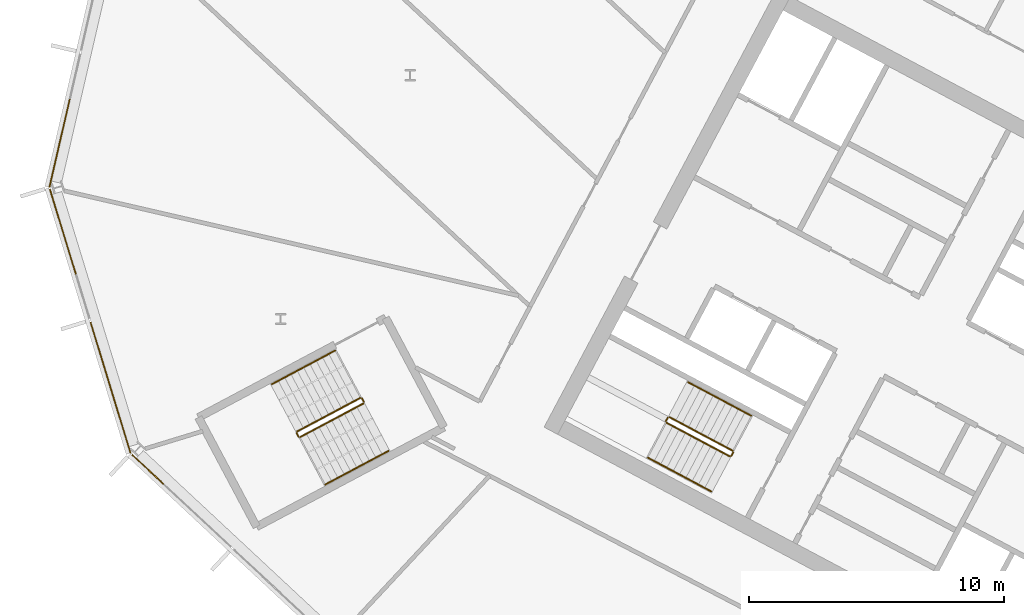
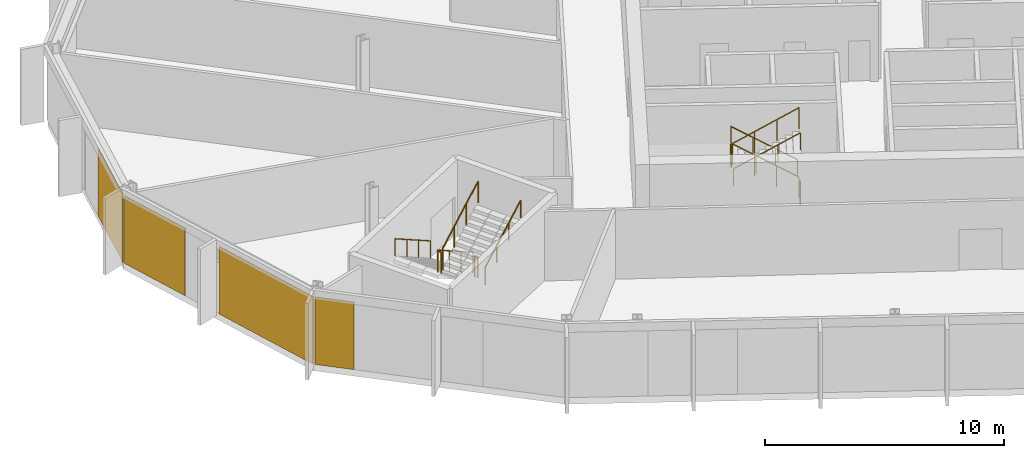
# One storey, part 20 of 26: 12 railings, 4 coverings, 3 elements without a shape of their own.
"""IFC4 building model written with IfcOpenShell, lengths in metres."""

from ifc_helpers import new_model, si_unit, direction, frame, origin, origin_2d, place, context, subcontext, project, spatial, polyline, rectangle, outline, extrude, material, layer, layer_set, type_object, element, aggregate, save


model = new_model("IFC4")

# Units and contexts
model_context = context("Model", 3, precision=1e-05, world=origin(), true_north=direction((0.0, 1.0)))
body_context = subcontext(model_context, "Body", "Model", "MODEL_VIEW")
ifc_project = project(units=[si_unit("LENGTHUNIT", "METRE"), si_unit("AREAUNIT", "SQUARE_METRE"), si_unit("VOLUMEUNIT", "CUBIC_METRE"), si_unit("PLANEANGLEUNIT", "RADIAN"), si_unit("MASSUNIT", "GRAM", prefix="KILO")], contexts=[model_context])

# Site, building, storey
site_placement = place(None, origin())
site = spatial("IfcSite", under=ifc_project, at=site_placement, CompositionType="ELEMENT")
building_placement = place(site_placement, origin())
building = spatial("IfcBuilding", under=site, at=building_placement, Name="Cormorant Relay Tower", CompositionType="ELEMENT")
storey_placement = place(building_placement, frame((0.0, 0.0, 213.0)))
storey = spatial("IfcBuildingStorey", under=building, at=storey_placement, Name="L46", CompositionType="ELEMENT", Elevation=213.0)

# Curtain wall, covering
ifc_material_1 = material(Name="Aluminium 6063-T6 anodised bronze", Category="aluminium")
ifc_layer_1 = layer(ifc_material_1, 0.199951171875)
ifc_layer_set_1 = layer_set([ifc_layer_1], Name="CW1 unitised bronze curtain wall with vertical fins")
curtain_wall_type = type_object("IfcCurtainWallType", Name="CW1 unitised bronze curtain wall with vertical fins", PredefinedType="NOTDEFINED", material=ifc_layer_set_1)
curtain_wall_1_placement = place(storey_placement, origin())
curtain_wall_1 = element("IfcCurtainWall", 1, at=curtain_wall_1_placement, inside=storey, type_object=curtain_wall_type, Name="CW1 curtain wall 13", PredefinedType="NOTDEFINED")
ifc_material_2 = material(Name="Pale bronze anodised aluminium insulated panel", Category="aluminium")
ifc_layer_2 = layer(ifc_material_2, 0.0400390625)
ifc_layer_set_2 = layer_set([ifc_layer_2], Name="CW1 pale bronze insulated panel 40")
covering_type = type_object("IfcCoveringType", Name="CW1 pale bronze insulated panel 40", PredefinedType="CLADDING", material=ifc_layer_set_2)
covering_1_placement = place(storey_placement, frame((-60.3388671875, 22.13232421875, 0.0), z_axis=(0.0, 0.0, 1.0), x_axis=(-0.224951054344, -0.974370064785, 0.0)))
covering_1 = element("IfcCovering", 2, at=covering_1_placement, type_object=covering_type, Name="CW1 panel S02", PredefinedType="CLADDING", context=body_context, shape_type="SweptSolid", body=[
    extrude(rectangle(XDim=3.560302734375, YDim=0.0400390625, at=origin_2d()), origin(), (0.0, 0.0, 1.0), 3.449951171875),
])
aggregate(curtain_wall_1, [covering_1])

# Curtain wall, coverings
curtain_wall_2_placement = place(storey_placement, origin())
curtain_wall_2 = element("IfcCurtainWall", 3, at=curtain_wall_2_placement, inside=storey, type_object=curtain_wall_type, Name="CW1 curtain wall 14", PredefinedType="NOTDEFINED")
covering_2_placement = place(storey_placement, frame((-60.20751953125, 18.6494140625, 0.0), z_axis=(0.0, 0.0, 1.0), x_axis=(0.292371704723, -0.956304755963, 0.0)))
covering_2 = element("IfcCovering", 4, at=covering_2_placement, type_object=covering_type, Name="CW1 panel S00", PredefinedType="CLADDING", context=body_context, shape_type="SweptSolid", body=[
    extrude(rectangle(XDim=3.485107421875, YDim=0.0400390625, at=origin_2d()), origin(), (0.0, 0.0, 1.0), 3.449951171875),
])
covering_3_placement = place(storey_placement, frame((-58.344482421875, 12.55517578125, 0.0), z_axis=(0.0, 0.0, 1.0), x_axis=(0.292371704723, -0.956304755963, 0.0)))
covering_3 = element("IfcCovering", 5, at=covering_3_placement, type_object=covering_type, Name="CW1 panel S02", PredefinedType="CLADDING", context=body_context, shape_type="SweptSolid", body=[
    extrude(rectangle(XDim=5.360107421875, YDim=0.0400390625, at=origin_2d()), origin(), (0.0, 0.0, 1.0), 3.449951171875),
])
aggregate(curtain_wall_2, [covering_2, covering_3])

# Curtain wall, covering
curtain_wall_3_placement = place(storey_placement, origin())
curtain_wall_3 = element("IfcCurtainWall", 6, at=curtain_wall_3_placement, inside=storey, type_object=curtain_wall_type, Name="CW1 curtain wall 15", PredefinedType="NOTDEFINED")
covering_4_placement = place(storey_placement, frame((-56.88427734375, 9.357421875, 0.0), z_axis=(0.0, 0.0, 1.0), x_axis=(0.731353701619, -0.681998360062, 0.0)))
covering_4 = element("IfcCovering", 7, at=covering_4_placement, type_object=covering_type, Name="CW1 panel S00", PredefinedType="CLADDING", context=body_context, shape_type="SweptSolid", body=[
    extrude(rectangle(XDim=1.685302734375, YDim=0.0400390625, at=origin_2d()), origin(), (0.0, 0.0, 1.0), 3.449951171875),
])
aggregate(curtain_wall_3, [covering_4])

# Railings
ifc_material_3 = material(Name="Steel ASTM A572 Grade 50 (Fy 345 MPa)", Category="steel")
railing_type_1 = type_object("IfcRailingType", Name="Stair guard 1100", PredefinedType="GUARDRAIL", material=ifc_material_3)
railing_1_placement = place(storey_placement, frame((-33.9921875, 10.08935546875, 0.17724609375)))
element("IfcRailing", 8, at=railing_1_placement, inside=storey, type_object=railing_type_1, Name="L46 A2 stair guard 1", PredefinedType="GUARDRAIL", context=body_context, shape_type="SweptSolid", body=[
    extrude(outline(polyline([(0.022216796875, 0.00927734375), (0.00927734375, 0.022216796875), (-0.00927734375, 0.022216796875), (-0.022216796875, 0.00927734375), (-0.022216796875, -0.00927734375), (-0.00927734375, -0.022216796875), (0.00927734375, -0.022216796875), (0.022216796875, -0.00927734375), (0.022216796875, 0.00927734375)])), frame((0.0, 0.0, 1.076171875), z_axis=(-0.746001213114, 0.396649272309, 0.534931345884), x_axis=(-0.469465464807, -0.882950835185, 0.0)), (0.0, 0.0, 1.0), 3.31396484375),
    extrude(outline(polyline([(0.019287109375, 0.008056640625), (0.008056640625, 0.019287109375), (-0.008056640625, 0.019287109375), (-0.019287109375, 0.008056640625), (-0.019287109375, -0.008056640625), (-0.008056640625, -0.019287109375), (0.008056640625, -0.019287109375), (0.019287109375, -0.008056640625), (0.019287109375, 0.008056640625)])), origin(), (0.0, 0.0, 1.0), 1.052001953125),
    extrude(outline(polyline([(0.019287109375, 0.008056640625), (0.008056640625, 0.019287109375), (-0.008056640625, 0.019287109375), (-0.019287109375, 0.008056640625), (-0.019287109375, -0.008056640625), (-0.008056640625, -0.019287109375), (0.008056640625, -0.019287109375), (0.019287109375, -0.008056640625), (0.019287109375, 0.008056640625)])), frame((-0.823974609375, 0.438232421875, 0.5908203125)), (0.0, 0.0, 1.0), 1.052001953125),
    extrude(outline(polyline([(0.019287109375, 0.008056640625), (0.008056640625, 0.019287109375), (-0.008056640625, 0.019287109375), (-0.019287109375, 0.008056640625), (-0.019287109375, -0.008056640625), (-0.008056640625, -0.019287109375), (0.008056640625, -0.019287109375), (0.019287109375, -0.008056640625), (0.019287109375, 0.008056640625)])), frame((-1.648193359375, 0.876220703125, 1.181884765625)), (0.0, 0.0, 1.0), 1.052001953125),
    extrude(outline(polyline([(0.019287109375, 0.008056640625), (0.008056640625, 0.019287109375), (-0.008056640625, 0.019287109375), (-0.019287109375, 0.008056640625), (-0.019287109375, -0.008056640625), (-0.008056640625, -0.019287109375), (0.008056640625, -0.019287109375), (0.019287109375, -0.008056640625), (0.019287109375, 0.008056640625)])), frame((-2.47216796875, 1.314453125, 1.772705078125)), (0.0, 0.0, 1.0), 1.052001953125),
])
railing_2_placement = place(storey_placement, frame((-36.531982421875, 11.38330078125, 1.949951171875)))
element("IfcRailing", 9, at=railing_2_placement, inside=storey, type_object=railing_type_1, Name="L46 A2 stair guard 2", PredefinedType="GUARDRAIL", context=body_context, shape_type="SweptSolid", body=[
    extrude(outline(polyline([(0.022216796875, 0.00927734375), (0.00927734375, 0.022216796875), (-0.00927734375, 0.022216796875), (-0.022216796875, 0.00927734375), (-0.022216796875, -0.00927734375), (-0.00927734375, -0.022216796875), (0.00927734375, -0.022216796875), (0.022216796875, -0.00927734375), (0.022216796875, 0.00927734375)])), frame((0.0, 0.0, 1.076171875), z_axis=(-0.469828648786, -0.882757634224, 0.0), x_axis=(0.882757634224, -0.469828648786, 0.0)), (0.0, 0.0, 1.0), 0.150146484375),
    extrude(outline(polyline([(0.019287109375, 0.008056640625), (0.008056640625, 0.019287109375), (-0.008056640625, 0.019287109375), (-0.019287109375, 0.008056640625), (-0.019287109375, -0.008056640625), (-0.008056640625, -0.019287109375), (0.008056640625, -0.019287109375), (0.019287109375, -0.008056640625), (0.019287109375, 0.008056640625)])), origin(), (0.0, 0.0, 1.0), 1.052001953125),
    extrude(outline(polyline([(0.019287109375, 0.008056640625), (0.008056640625, 0.019287109375), (-0.008056640625, 0.019287109375), (-0.019287109375, 0.008056640625), (-0.019287109375, -0.008056640625), (-0.008056640625, -0.019287109375), (0.008056640625, -0.019287109375), (0.019287109375, -0.008056640625), (0.019287109375, 0.008056640625)])), frame((-0.070556640625, -0.132568359375, 0.0)), (0.0, 0.0, 1.0), 1.052001953125),
])
railing_3_placement = place(storey_placement, frame((-36.581787109375, 11.18310546875, 2.127197265625)))
element("IfcRailing", 10, at=railing_3_placement, inside=storey, type_object=railing_type_1, Name="L46 A2 stair guard 3", PredefinedType="GUARDRAIL", context=body_context, shape_type="SweptSolid", body=[
    extrude(outline(polyline([(0.022216796875, 0.00927734375), (0.00927734375, 0.022216796875), (-0.00927734375, 0.022216796875), (-0.022216796875, 0.00927734375), (-0.022216796875, -0.00927734375), (-0.00927734375, -0.022216796875), (0.00927734375, -0.022216796875), (0.022216796875, -0.00927734375), (0.022216796875, 0.00927734375)])), frame((0.0, 0.0, 1.076171875), z_axis=(0.746001213114, -0.396649272309, 0.534931345884), x_axis=(0.469465464807, 0.882950835185, 0.0)), (0.0, 0.0, 1.0), 3.31396484375),
    extrude(outline(polyline([(0.019287109375, 0.008056640625), (0.008056640625, 0.019287109375), (-0.008056640625, 0.019287109375), (-0.019287109375, 0.008056640625), (-0.019287109375, -0.008056640625), (-0.008056640625, -0.019287109375), (0.008056640625, -0.019287109375), (0.019287109375, -0.008056640625), (0.019287109375, 0.008056640625)])), origin(), (0.0, 0.0, 1.0), 1.052001953125),
    extrude(outline(polyline([(0.019287109375, 0.008056640625), (0.008056640625, 0.019287109375), (-0.008056640625, 0.019287109375), (-0.019287109375, 0.008056640625), (-0.019287109375, -0.008056640625), (-0.008056640625, -0.019287109375), (0.008056640625, -0.019287109375), (0.019287109375, -0.008056640625), (0.019287109375, 0.008056640625)])), frame((0.823974609375, -0.438232421875, 0.5908203125)), (0.0, 0.0, 1.0), 1.052001953125),
    extrude(outline(polyline([(0.019287109375, 0.008056640625), (0.008056640625, 0.019287109375), (-0.008056640625, 0.019287109375), (-0.019287109375, 0.008056640625), (-0.019287109375, -0.008056640625), (-0.008056640625, -0.019287109375), (0.008056640625, -0.019287109375), (0.019287109375, -0.008056640625), (0.019287109375, 0.008056640625)])), frame((1.648193359375, -0.876220703125, 1.181884765625)), (0.0, 0.0, 1.0), 1.052001953125),
    extrude(outline(polyline([(0.019287109375, 0.008056640625), (0.008056640625, 0.019287109375), (-0.008056640625, 0.019287109375), (-0.019287109375, 0.008056640625), (-0.019287109375, -0.008056640625), (-0.008056640625, -0.019287109375), (0.008056640625, -0.019287109375), (0.019287109375, -0.008056640625), (0.019287109375, 0.008056640625)])), frame((2.47216796875, -1.314453125, 1.772705078125)), (0.0, 0.0, 1.0), 1.052001953125),
])
railing_4_placement = place(storey_placement, frame((-33.971435546875, 10.021728515625, 0.0)))
element("IfcRailing", 11, at=railing_4_placement, inside=storey, type_object=railing_type_1, Name="L46 A2 stair guard 4", PredefinedType="GUARDRAIL", context=body_context, shape_type="SweptSolid", body=[
    extrude(outline(polyline([(0.022216796875, 0.00927734375), (0.00927734375, 0.022216796875), (-0.00927734375, 0.022216796875), (-0.022216796875, 0.00927734375), (-0.022216796875, -0.00927734375), (-0.00927734375, -0.022216796875), (0.00927734375, -0.022216796875), (0.022216796875, -0.00927734375), (0.022216796875, 0.00927734375)])), frame((0.0, 0.0, 1.076171875), z_axis=(-0.470503732759, -0.882398003998, 0.0), x_axis=(0.882398003998, -0.470503732759, 0.0)), (0.0, 0.0, 1.0), 0.14990234375),
    extrude(outline(polyline([(0.019287109375, 0.008056640625), (0.008056640625, 0.019287109375), (-0.008056640625, 0.019287109375), (-0.019287109375, 0.008056640625), (-0.019287109375, -0.008056640625), (-0.008056640625, -0.019287109375), (0.008056640625, -0.019287109375), (0.019287109375, -0.008056640625), (0.019287109375, 0.008056640625)])), origin(), (0.0, 0.0, 1.0), 1.052001953125),
    extrude(outline(polyline([(0.019287109375, 0.008056640625), (0.008056640625, 0.019287109375), (-0.008056640625, 0.019287109375), (-0.019287109375, 0.008056640625), (-0.019287109375, -0.008056640625), (-0.008056640625, -0.019287109375), (0.008056640625, -0.019287109375), (0.019287109375, -0.008056640625), (0.019287109375, 0.008056640625)])), frame((-0.070556640625, -0.13232421875, 0.0)), (0.0, 0.0, 1.0), 1.052001953125),
])
railing_5_placement = place(storey_placement, frame((-48.5693359375, 12.155517578125, 0.17724609375)))
element("IfcRailing", 12, at=railing_5_placement, inside=storey, type_object=railing_type_1, Name="L46 RP1 stair guard 1", PredefinedType="GUARDRAIL", context=body_context, shape_type="SweptSolid", body=[
    extrude(outline(polyline([(0.022216796875, 0.00927734375), (0.00927734375, 0.022216796875), (-0.00927734375, 0.022216796875), (-0.022216796875, 0.00927734375), (-0.022216796875, -0.00927734375), (-0.00927734375, -0.022216796875), (0.00927734375, -0.022216796875), (0.022216796875, -0.00927734375), (0.022216796875, 0.00927734375)])), frame((0.0, 0.0, 1.076171875), z_axis=(-0.746012083385, -0.396689549623, 0.534886317514), x_axis=(0.469497295046, -0.882933910293, 0.0)), (0.0, 0.0, 1.0), 3.314208984375),
    extrude(outline(polyline([(0.019287109375, 0.008056640625), (0.008056640625, 0.019287109375), (-0.008056640625, 0.019287109375), (-0.019287109375, 0.008056640625), (-0.019287109375, -0.008056640625), (-0.008056640625, -0.019287109375), (0.008056640625, -0.019287109375), (0.019287109375, -0.008056640625), (0.019287109375, 0.008056640625)])), origin(), (0.0, 0.0, 1.0), 1.052001953125),
    extrude(outline(polyline([(0.019287109375, 0.008056640625), (0.008056640625, 0.019287109375), (-0.008056640625, 0.019287109375), (-0.019287109375, 0.008056640625), (-0.019287109375, -0.008056640625), (-0.008056640625, -0.019287109375), (0.008056640625, -0.019287109375), (0.019287109375, -0.008056640625), (0.019287109375, 0.008056640625)])), frame((-0.82421875, -0.438232421875, 0.5908203125)), (0.0, 0.0, 1.0), 1.052001953125),
    extrude(outline(polyline([(0.019287109375, 0.008056640625), (0.008056640625, 0.019287109375), (-0.008056640625, 0.019287109375), (-0.019287109375, 0.008056640625), (-0.019287109375, -0.008056640625), (-0.008056640625, -0.019287109375), (0.008056640625, -0.019287109375), (0.019287109375, -0.008056640625), (0.019287109375, 0.008056640625)])), frame((-1.648193359375, -0.87646484375, 1.181884765625)), (0.0, 0.0, 1.0), 1.052001953125),
    extrude(outline(polyline([(0.019287109375, 0.008056640625), (0.008056640625, 0.019287109375), (-0.008056640625, 0.019287109375), (-0.019287109375, 0.008056640625), (-0.019287109375, -0.008056640625), (-0.008056640625, -0.019287109375), (0.008056640625, -0.019287109375), (0.019287109375, -0.008056640625), (0.019287109375, 0.008056640625)])), frame((-2.472412109375, -1.314697265625, 1.772705078125)), (0.0, 0.0, 1.0), 1.052001953125),
])
railing_6_placement = place(storey_placement, frame((-51.062255859375, 10.773193359375, 1.949951171875)))
element("IfcRailing", 13, at=railing_6_placement, inside=storey, type_object=railing_type_1, Name="L46 RP1 stair guard 2", PredefinedType="GUARDRAIL", context=body_context, shape_type="SweptSolid", body=[
    extrude(outline(polyline([(0.022216796875, 0.00927734375), (0.00927734375, 0.022216796875), (-0.00927734375, 0.022216796875), (-0.022216796875, 0.00927734375), (-0.022216796875, -0.00927734375), (-0.00927734375, -0.022216796875), (0.00927734375, -0.022216796875), (0.022216796875, -0.00927734375), (0.022216796875, 0.00927734375)])), frame((0.0, 0.0, 1.076171875), z_axis=(0.469234640946, -0.883073525669, 0.0), x_axis=(0.883073525669, 0.469234640946, 0.0)), (0.0, 0.0, 1.0), 0.14990234375),
    extrude(outline(polyline([(0.019287109375, 0.008056640625), (0.008056640625, 0.019287109375), (-0.008056640625, 0.019287109375), (-0.019287109375, 0.008056640625), (-0.019287109375, -0.008056640625), (-0.008056640625, -0.019287109375), (0.008056640625, -0.019287109375), (0.019287109375, -0.008056640625), (0.019287109375, 0.008056640625)])), origin(), (0.0, 0.0, 1.0), 1.052001953125),
    extrude(outline(polyline([(0.019287109375, 0.008056640625), (0.008056640625, 0.019287109375), (-0.008056640625, 0.019287109375), (-0.019287109375, 0.008056640625), (-0.019287109375, -0.008056640625), (-0.008056640625, -0.019287109375), (0.008056640625, -0.019287109375), (0.019287109375, -0.008056640625), (0.019287109375, 0.008056640625)])), frame((0.0703125, -0.13232421875, 0.0)), (0.0, 0.0, 1.0), 1.052001953125),
])
railing_7_placement = place(storey_placement, frame((-50.92431640625, 10.6201171875, 2.127197265625)))
element("IfcRailing", 14, at=railing_7_placement, inside=storey, type_object=railing_type_1, Name="L46 RP1 stair guard 3", PredefinedType="GUARDRAIL", context=body_context, shape_type="SweptSolid", body=[
    extrude(outline(polyline([(0.022216796875, 0.00927734375), (0.00927734375, 0.022216796875), (-0.00927734375, 0.022216796875), (-0.022216796875, 0.00927734375), (-0.022216796875, -0.00927734375), (-0.00927734375, -0.022216796875), (0.00927734375, -0.022216796875), (0.022216796875, -0.00927734375), (0.022216796875, 0.00927734375)])), frame((0.0, 0.0, 1.076171875), z_axis=(0.746033882577, 0.396627473466, 0.534901947407), x_axis=(-0.469429322983, 0.882970050864, 0.0)), (0.0, 0.0, 1.0), 3.31396484375),
    extrude(outline(polyline([(0.019287109375, 0.008056640625), (0.008056640625, 0.019287109375), (-0.008056640625, 0.019287109375), (-0.019287109375, 0.008056640625), (-0.019287109375, -0.008056640625), (-0.008056640625, -0.019287109375), (0.008056640625, -0.019287109375), (0.019287109375, -0.008056640625), (0.019287109375, 0.008056640625)])), origin(), (0.0, 0.0, 1.0), 1.052001953125),
    extrude(outline(polyline([(0.019287109375, 0.008056640625), (0.008056640625, 0.019287109375), (-0.008056640625, 0.019287109375), (-0.019287109375, 0.008056640625), (-0.019287109375, -0.008056640625), (-0.008056640625, -0.019287109375), (0.008056640625, -0.019287109375), (0.019287109375, -0.008056640625), (0.019287109375, 0.008056640625)])), frame((0.82421875, 0.438232421875, 0.5908203125)), (0.0, 0.0, 1.0), 1.052001953125),
    extrude(outline(polyline([(0.019287109375, 0.008056640625), (0.008056640625, 0.019287109375), (-0.008056640625, 0.019287109375), (-0.019287109375, 0.008056640625), (-0.019287109375, -0.008056640625), (-0.008056640625, -0.019287109375), (0.008056640625, -0.019287109375), (0.019287109375, -0.008056640625), (0.019287109375, 0.008056640625)])), frame((1.648193359375, 0.876220703125, 1.181884765625)), (0.0, 0.0, 1.0), 1.052001953125),
    extrude(outline(polyline([(0.019287109375, 0.008056640625), (0.008056640625, 0.019287109375), (-0.008056640625, 0.019287109375), (-0.019287109375, 0.008056640625), (-0.019287109375, -0.008056640625), (-0.008056640625, -0.019287109375), (0.008056640625, -0.019287109375), (0.019287109375, -0.008056640625), (0.019287109375, 0.008056640625)])), frame((2.472412109375, 1.314453125, 1.772705078125)), (0.0, 0.0, 1.0), 1.052001953125),
])
railing_8_placement = place(storey_placement, frame((-48.501708984375, 12.134765625, 0.0)))
element("IfcRailing", 15, at=railing_8_placement, inside=storey, type_object=railing_type_1, Name="L46 RP1 stair guard 4", PredefinedType="GUARDRAIL", context=body_context, shape_type="SweptSolid", body=[
    extrude(outline(polyline([(0.022216796875, 0.00927734375), (0.00927734375, 0.022216796875), (-0.00927734375, 0.022216796875), (-0.022216796875, 0.00927734375), (-0.022216796875, -0.00927734375), (-0.00927734375, -0.022216796875), (0.00927734375, -0.022216796875), (0.022216796875, -0.00927734375), (0.022216796875, 0.00927734375)])), frame((0.0, 0.0, 1.076171875), z_axis=(0.46856034887, -0.8834314911, 0.0), x_axis=(0.8834314911, 0.46856034887, 0.0)), (0.0, 0.0, 1.0), 0.150146484375),
    extrude(outline(polyline([(0.019287109375, 0.008056640625), (0.008056640625, 0.019287109375), (-0.008056640625, 0.019287109375), (-0.019287109375, 0.008056640625), (-0.019287109375, -0.008056640625), (-0.008056640625, -0.019287109375), (0.008056640625, -0.019287109375), (0.019287109375, -0.008056640625), (0.019287109375, 0.008056640625)])), origin(), (0.0, 0.0, 1.0), 1.052001953125),
    extrude(outline(polyline([(0.019287109375, 0.008056640625), (0.008056640625, 0.019287109375), (-0.008056640625, 0.019287109375), (-0.019287109375, 0.008056640625), (-0.019287109375, -0.008056640625), (-0.008056640625, -0.019287109375), (0.008056640625, -0.019287109375), (0.019287109375, -0.008056640625), (0.019287109375, 0.008056640625)])), frame((0.0703125, -0.132568359375, 0.0)), (0.0, 0.0, 1.0), 1.052001953125),
])
ifc_material_4 = material(Name="Steel ASTM A572 Grade 50 (Fy 345 MPa)", Category="steel")
railing_type_2 = type_object("IfcRailingType", Name="Stair handrail 900", PredefinedType="HANDRAIL", material=ifc_material_4)
railing_9_placement = place(storey_placement, frame((-33.264404296875, 11.4580078125, 0.17724609375)))
element("IfcRailing", 16, at=railing_9_placement, inside=storey, type_object=railing_type_2, Name="L46 A2 stair handrail 1", PredefinedType="HANDRAIL", context=body_context, shape_type="SweptSolid", body=[
    extrude(outline(polyline([(0.022216796875, 0.00927734375), (0.00927734375, 0.022216796875), (-0.00927734375, 0.022216796875), (-0.022216796875, 0.00927734375), (-0.022216796875, -0.00927734375), (-0.00927734375, -0.022216796875), (0.00927734375, -0.022216796875), (0.022216796875, -0.00927734375), (0.022216796875, 0.00927734375)])), frame((0.0, 0.0, 0.8759765625), z_axis=(-0.746033882577, 0.396627473466, 0.534901947407), x_axis=(-0.469429322983, -0.882970050864, 0.0)), (0.0, 0.0, 1.0), 3.31396484375),
    extrude(outline(polyline([(0.019287109375, 0.008056640625), (0.008056640625, 0.019287109375), (-0.008056640625, 0.019287109375), (-0.019287109375, 0.008056640625), (-0.019287109375, -0.008056640625), (-0.008056640625, -0.019287109375), (0.008056640625, -0.019287109375), (0.019287109375, -0.008056640625), (0.019287109375, 0.008056640625)])), origin(), (0.0, 0.0, 1.0), 0.851806640625),
    extrude(outline(polyline([(0.019287109375, 0.008056640625), (0.008056640625, 0.019287109375), (-0.008056640625, 0.019287109375), (-0.019287109375, 0.008056640625), (-0.019287109375, -0.008056640625), (-0.008056640625, -0.019287109375), (0.008056640625, -0.019287109375), (0.019287109375, -0.008056640625), (0.019287109375, 0.008056640625)])), frame((-0.82421875, 0.438232421875, 0.5908203125)), (0.0, 0.0, 1.0), 0.851806640625),
    extrude(outline(polyline([(0.019287109375, 0.008056640625), (0.008056640625, 0.019287109375), (-0.008056640625, 0.019287109375), (-0.019287109375, 0.008056640625), (-0.019287109375, -0.008056640625), (-0.008056640625, -0.019287109375), (0.008056640625, -0.019287109375), (0.019287109375, -0.008056640625), (0.019287109375, 0.008056640625)])), frame((-1.648193359375, 0.876220703125, 1.181884765625)), (0.0, 0.0, 1.0), 0.851806640625),
    extrude(outline(polyline([(0.019287109375, 0.008056640625), (0.008056640625, 0.019287109375), (-0.008056640625, 0.019287109375), (-0.019287109375, 0.008056640625), (-0.019287109375, -0.008056640625), (-0.008056640625, -0.019287109375), (0.008056640625, -0.019287109375), (0.019287109375, -0.008056640625), (0.019287109375, 0.008056640625)])), frame((-2.472412109375, 1.314453125, 1.772705078125)), (0.0, 0.0, 1.0), 0.851806640625),
])
railing_10_placement = place(storey_placement, frame((-37.3095703125, 9.814453125, 2.127197265625)))
element("IfcRailing", 17, at=railing_10_placement, inside=storey, type_object=railing_type_2, Name="L46 A2 stair handrail 2", PredefinedType="HANDRAIL", context=body_context, shape_type="SweptSolid", body=[
    extrude(outline(polyline([(0.022216796875, 0.00927734375), (0.00927734375, 0.022216796875), (-0.00927734375, 0.022216796875), (-0.022216796875, 0.00927734375), (-0.022216796875, -0.00927734375), (-0.00927734375, -0.022216796875), (0.00927734375, -0.022216796875), (0.022216796875, -0.00927734375), (0.022216796875, 0.00927734375)])), frame((0.0, 0.0, 0.8759765625), z_axis=(0.746033882577, -0.396627473466, 0.534901947407), x_axis=(0.469429322983, 0.882970050864, 0.0)), (0.0, 0.0, 1.0), 3.31396484375),
    extrude(outline(polyline([(0.019287109375, 0.008056640625), (0.008056640625, 0.019287109375), (-0.008056640625, 0.019287109375), (-0.019287109375, 0.008056640625), (-0.019287109375, -0.008056640625), (-0.008056640625, -0.019287109375), (0.008056640625, -0.019287109375), (0.019287109375, -0.008056640625), (0.019287109375, 0.008056640625)])), origin(), (0.0, 0.0, 1.0), 0.851806640625),
    extrude(outline(polyline([(0.019287109375, 0.008056640625), (0.008056640625, 0.019287109375), (-0.008056640625, 0.019287109375), (-0.019287109375, 0.008056640625), (-0.019287109375, -0.008056640625), (-0.008056640625, -0.019287109375), (0.008056640625, -0.019287109375), (0.019287109375, -0.008056640625), (0.019287109375, 0.008056640625)])), frame((0.82421875, -0.438232421875, 0.5908203125)), (0.0, 0.0, 1.0), 0.851806640625),
    extrude(outline(polyline([(0.019287109375, 0.008056640625), (0.008056640625, 0.019287109375), (-0.008056640625, 0.019287109375), (-0.019287109375, 0.008056640625), (-0.019287109375, -0.008056640625), (-0.008056640625, -0.019287109375), (0.008056640625, -0.019287109375), (0.019287109375, -0.008056640625), (0.019287109375, 0.008056640625)])), frame((1.648193359375, -0.876220703125, 1.181884765625)), (0.0, 0.0, 1.0), 0.851806640625),
    extrude(outline(polyline([(0.019287109375, 0.008056640625), (0.008056640625, 0.019287109375), (-0.008056640625, 0.019287109375), (-0.019287109375, 0.008056640625), (-0.019287109375, -0.008056640625), (-0.008056640625, -0.019287109375), (0.008056640625, -0.019287109375), (0.019287109375, -0.008056640625), (0.019287109375, 0.008056640625)])), frame((2.472412109375, -1.314453125, 1.772705078125)), (0.0, 0.0, 1.0), 0.851806640625),
])
railing_11_placement = place(storey_placement, frame((-49.55517578125, 14.009521484375, 0.17724609375)))
element("IfcRailing", 18, at=railing_11_placement, inside=storey, type_object=railing_type_2, Name="L46 RP1 stair handrail 1", PredefinedType="HANDRAIL", context=body_context, shape_type="SweptSolid", body=[
    extrude(outline(polyline([(0.022216796875, 0.00927734375), (0.00927734375, 0.022216796875), (-0.00927734375, 0.022216796875), (-0.022216796875, 0.00927734375), (-0.022216796875, -0.00927734375), (-0.00927734375, -0.022216796875), (0.00927734375, -0.022216796875), (0.022216796875, -0.00927734375), (0.022216796875, 0.00927734375)])), frame((0.0, 0.0, 0.8759765625), z_axis=(-0.746033882577, -0.396627473466, 0.534901947407), x_axis=(0.469429322983, -0.882970050864, 0.0)), (0.0, 0.0, 1.0), 3.31396484375),
    extrude(outline(polyline([(0.019287109375, 0.008056640625), (0.008056640625, 0.019287109375), (-0.008056640625, 0.019287109375), (-0.019287109375, 0.008056640625), (-0.019287109375, -0.008056640625), (-0.008056640625, -0.019287109375), (0.008056640625, -0.019287109375), (0.019287109375, -0.008056640625), (0.019287109375, 0.008056640625)])), origin(), (0.0, 0.0, 1.0), 0.851806640625),
    extrude(outline(polyline([(0.019287109375, 0.008056640625), (0.008056640625, 0.019287109375), (-0.008056640625, 0.019287109375), (-0.019287109375, 0.008056640625), (-0.019287109375, -0.008056640625), (-0.008056640625, -0.019287109375), (0.008056640625, -0.019287109375), (0.019287109375, -0.008056640625), (0.019287109375, 0.008056640625)])), frame((-0.82421875, -0.438232421875, 0.5908203125)), (0.0, 0.0, 1.0), 0.851806640625),
    extrude(outline(polyline([(0.019287109375, 0.008056640625), (0.008056640625, 0.019287109375), (-0.008056640625, 0.019287109375), (-0.019287109375, 0.008056640625), (-0.019287109375, -0.008056640625), (-0.008056640625, -0.019287109375), (0.008056640625, -0.019287109375), (0.019287109375, -0.008056640625), (0.019287109375, 0.008056640625)])), frame((-1.648193359375, -0.876220703125, 1.181884765625)), (0.0, 0.0, 1.0), 0.851806640625),
    extrude(outline(polyline([(0.019287109375, 0.008056640625), (0.008056640625, 0.019287109375), (-0.008056640625, 0.019287109375), (-0.019287109375, 0.008056640625), (-0.019287109375, -0.008056640625), (-0.008056640625, -0.019287109375), (0.008056640625, -0.019287109375), (0.019287109375, -0.008056640625), (0.019287109375, 0.008056640625)])), frame((-2.472412109375, -1.314453125, 1.772705078125)), (0.0, 0.0, 1.0), 0.851806640625),
])
railing_12_placement = place(storey_placement, frame((-49.9384765625, 8.765869140625, 2.127197265625)))
element("IfcRailing", 19, at=railing_12_placement, inside=storey, type_object=railing_type_2, Name="L46 RP1 stair handrail 2", PredefinedType="HANDRAIL", context=body_context, shape_type="SweptSolid", body=[
    extrude(outline(polyline([(0.022216796875, 0.00927734375), (0.00927734375, 0.022216796875), (-0.00927734375, 0.022216796875), (-0.022216796875, 0.00927734375), (-0.022216796875, -0.00927734375), (-0.00927734375, -0.022216796875), (0.00927734375, -0.022216796875), (0.022216796875, -0.00927734375), (0.022216796875, 0.00927734375)])), frame((0.0, 0.0, 0.8759765625), z_axis=(0.746012083385, 0.396689549623, 0.534886317514), x_axis=(-0.469497295046, 0.882933910293, 0.0)), (0.0, 0.0, 1.0), 3.314208984375),
    extrude(outline(polyline([(0.019287109375, 0.008056640625), (0.008056640625, 0.019287109375), (-0.008056640625, 0.019287109375), (-0.019287109375, 0.008056640625), (-0.019287109375, -0.008056640625), (-0.008056640625, -0.019287109375), (0.008056640625, -0.019287109375), (0.019287109375, -0.008056640625), (0.019287109375, 0.008056640625)])), origin(), (0.0, 0.0, 1.0), 0.851806640625),
    extrude(outline(polyline([(0.019287109375, 0.008056640625), (0.008056640625, 0.019287109375), (-0.008056640625, 0.019287109375), (-0.019287109375, 0.008056640625), (-0.019287109375, -0.008056640625), (-0.008056640625, -0.019287109375), (0.008056640625, -0.019287109375), (0.019287109375, -0.008056640625), (0.019287109375, 0.008056640625)])), frame((0.82421875, 0.438232421875, 0.5908203125)), (0.0, 0.0, 1.0), 0.851806640625),
    extrude(outline(polyline([(0.019287109375, 0.008056640625), (0.008056640625, 0.019287109375), (-0.008056640625, 0.019287109375), (-0.019287109375, 0.008056640625), (-0.019287109375, -0.008056640625), (-0.008056640625, -0.019287109375), (0.008056640625, -0.019287109375), (0.019287109375, -0.008056640625), (0.019287109375, 0.008056640625)])), frame((1.648193359375, 0.87646484375, 1.181884765625)), (0.0, 0.0, 1.0), 0.851806640625),
    extrude(outline(polyline([(0.019287109375, 0.008056640625), (0.008056640625, 0.019287109375), (-0.008056640625, 0.019287109375), (-0.019287109375, 0.008056640625), (-0.019287109375, -0.008056640625), (-0.008056640625, -0.019287109375), (0.008056640625, -0.019287109375), (0.019287109375, -0.008056640625), (0.019287109375, 0.008056640625)])), frame((2.472412109375, 1.314697265625, 1.772705078125)), (0.0, 0.0, 1.0), 0.851806640625),
])

save(model, "model.ifc")
